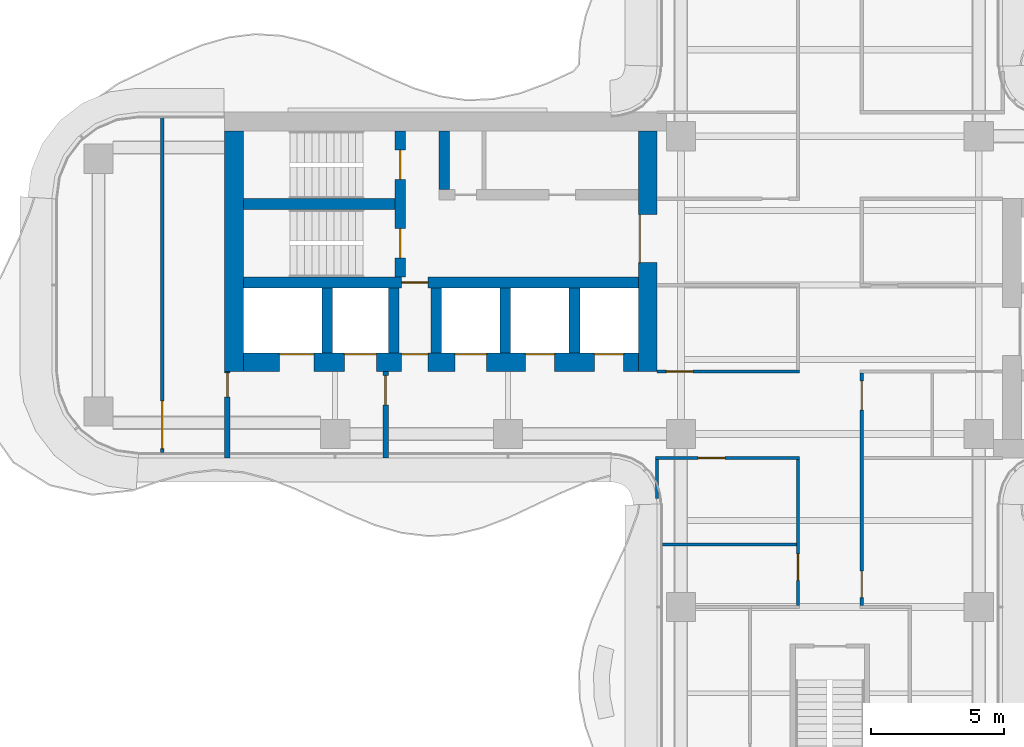
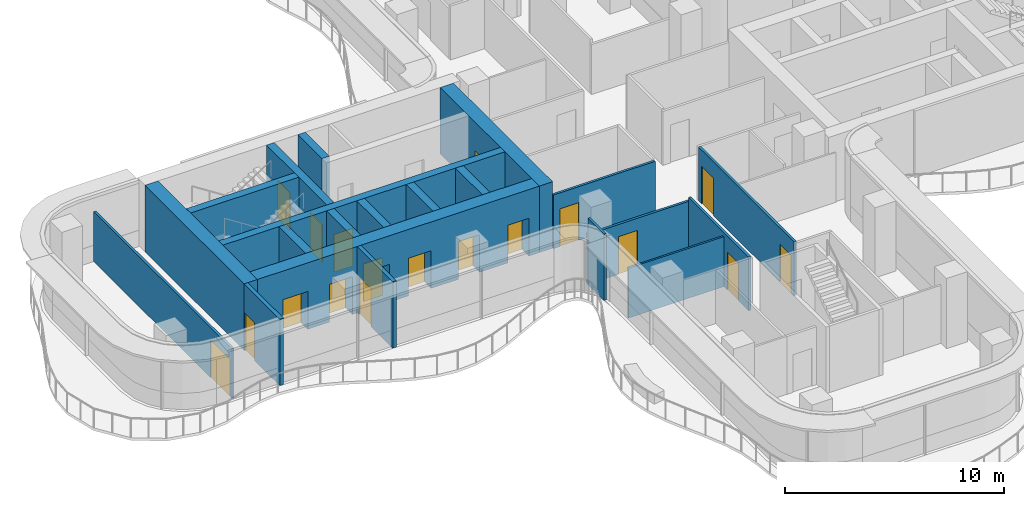
# One storey, part 12 of 17: 21 walls, 18 doors, 18 openings.
"""IFC4 building model written with IfcOpenShell, lengths in metres."""

import ifcopenshell
import ifcopenshell.guid

model = None  # the IFC model being written
_history = None  # IfcOwnerHistory: only IFC2X3 demands one
_inside = {}  # id of a spatial element -> (the spatial element, [elements in it])
_under = {}  # id of a project, library or spatial element -> (it, [spatial elements below it])
_declared = {}  # id of a project -> (the project, [libraries it declares])
_typed = {}  # id of a type object -> (the type object, [elements of that type])
_made_of = {}  # id of a material, layer set ... -> (it, [elements and type objects made of it])


def new_model(schema):
    """Start an empty IFC model of exactly this schema.

    Asked for "IFC4X3", IfcOpenShell would pick the latest addendum, in which some entities
    have other attributes; the version numbers below select the first issue.
    IFC2X3 requires an IfcOwnerHistory on every rooted entity: one is made here for all.
    """
    global model, _history
    if schema == "IFC4X3":
        model = ifcopenshell.file(schema_version=(4, 3, 0, 0))
    else:
        model = ifcopenshell.file(schema=schema)
    _inside.clear()
    _under.clear()
    _declared.clear()
    _typed.clear()
    _made_of.clear()
    _history = None
    if model.schema == "IFC2X3":
        org = make("IfcOrganization", Name="unknown")
        user = make(
            "IfcPersonAndOrganization",
            ThePerson=make("IfcPerson", FamilyName="unknown"),
            TheOrganization=org,
        )
        app = make(
            "IfcApplication",
            ApplicationDeveloper=org,
            Version="unknown",
            ApplicationFullName="unknown",
            ApplicationIdentifier="unknown",
        )
        _history = make(
            "IfcOwnerHistory",
            OwningUser=user,
            OwningApplication=app,
            ChangeAction="ADDED",
            CreationDate=0,
        )
    return model


def make(cls, **values):
    """One entity of the class cls with the attributes given. An attribute that is None is left unset."""
    return model.create_entity(
        cls, **{name: value for name, value in values.items() if value is not None}
    )


def rooted(cls, **values):
    """An entity with a GlobalId (a new one), such as an element, a storey or a relation."""
    return make(cls, GlobalId=ifcopenshell.guid.new(), OwnerHistory=_history, **values)


def si_unit(unit_type, name, prefix=None):
    """IfcSIUnit, for example si_unit("LENGTHUNIT", "METRE", prefix="MILLI")."""
    return make("IfcSIUnit", UnitType=unit_type, Prefix=prefix, Name=name)


def assignment(units):
    """IfcUnitAssignment: the units of a project."""
    return None if units is None else make("IfcUnitAssignment", Units=units)


def point(xyz):
    """IfcCartesianPoint."""
    return None if xyz is None else make("IfcCartesianPoint", Coordinates=xyz)


def direction(xyz):
    """IfcDirection."""
    return None if xyz is None else make("IfcDirection", DirectionRatios=xyz)


def frame(location, z_axis=None, x_axis=None):
    """IfcAxis2Placement3D, a coordinate frame: its origin and axes. An axis left out is left unset."""
    return make(
        "IfcAxis2Placement3D",
        Location=point(location),
        Axis=direction(z_axis),
        RefDirection=direction(x_axis),
    )


def frame_2d(location, x_axis=None):
    """IfcAxis2Placement2D, a coordinate frame in the plane: its origin and x axis."""
    return make(
        "IfcAxis2Placement2D", Location=point(location), RefDirection=direction(x_axis)
    )


def origin():
    """The frame at (0, 0, 0) with its axes left unset."""
    return frame((0.0, 0.0, 0.0))


def place(relative_to, where):
    """IfcLocalPlacement: puts the frame where relative to a parent placement (None: the world)."""
    return make(
        "IfcLocalPlacement", PlacementRelTo=relative_to, RelativePlacement=where
    )


def context(
    kind, dimensions, precision=None, world=None, true_north=None, identifier=None
):
    """IfcGeometricRepresentationContext, for example the 3D "Model" context."""
    return make(
        "IfcGeometricRepresentationContext",
        ContextIdentifier=identifier,
        ContextType=kind,
        CoordinateSpaceDimension=dimensions,
        Precision=precision,
        WorldCoordinateSystem=world,
        TrueNorth=true_north,
    )


def subcontext(parent, identifier, kind, view, scale=None):
    """IfcGeometricRepresentationSubContext, for example "Body" below "Model"."""
    return make(
        "IfcGeometricRepresentationSubContext",
        ContextIdentifier=identifier,
        ContextType=kind,
        ParentContext=parent,
        TargetScale=scale,
        TargetView=view,
    )


def project(units=None, contexts=None):
    """IfcProject with its units and contexts."""
    return rooted(
        "IfcProject",
        Name="project",
        RepresentationContexts=contexts,
        UnitsInContext=assignment(units),
    )


def spatial(cls, under=None, at=None, **own):
    """A site, building, storey or space (cls), placed at a placement, below another one or the project."""
    s = rooted(cls, ObjectPlacement=at, **own)
    if under is not None:
        _under.setdefault(under.id(), (under, []))[1].append(s)
    return s


def profile(cls, at=None, kind="AREA", **sizes):
    """A parametric profile (cls). Its sizes go by their IFC names, for example OverallWidth=200.0."""
    return make(cls, ProfileType=kind, Position=at, **sizes)


def rectangle(**sizes):
    """IfcRectangleProfileDef."""
    return profile("IfcRectangleProfileDef", **sizes)


def extrude(swept, where, along, depth):
    """IfcExtrudedAreaSolid: the profile swept, set in the frame where, extruded along a direction by depth."""
    return make(
        "IfcExtrudedAreaSolid",
        SweptArea=swept,
        Position=where,
        ExtrudedDirection=direction(along),
        Depth=depth,
    )


def shape(context_of_items, identifier, shape_type, items):
    """IfcShapeRepresentation: the items that make up one representation, for example the "Body"."""
    return make(
        "IfcShapeRepresentation",
        ContextOfItems=context_of_items,
        RepresentationIdentifier=identifier,
        RepresentationType=shape_type,
        Items=items,
    )


def source(mapping_origin, context_of_items, identifier, shape_type, items):
    """IfcRepresentationMap: a shape defined once, which mapped items show again and again."""
    return make(
        "IfcRepresentationMap",
        MappingOrigin=mapping_origin,
        MappedRepresentation=shape(context_of_items, identifier, shape_type, items),
    )


def transform(
    local_origin,
    x_axis=None,
    y_axis=None,
    z_axis=None,
    scale=None,
    scale2=None,
    scale3=None,
    uniform=True,
):
    """IfcCartesianTransformationOperator3D, or its non-uniform kind. x_axis, y_axis, z_axis: its Axis1, 2, 3."""
    if uniform:
        return make(
            "IfcCartesianTransformationOperator3D",
            Axis1=direction(x_axis),
            Axis2=direction(y_axis),
            LocalOrigin=point(local_origin),
            Scale=scale,
            Axis3=direction(z_axis),
        )
    return make(
        "IfcCartesianTransformationOperator3DnonUniform",
        Axis1=direction(x_axis),
        Axis2=direction(y_axis),
        LocalOrigin=point(local_origin),
        Scale=scale,
        Axis3=direction(z_axis),
        Scale2=scale2,
        Scale3=scale3,
    )


def mapped(mapping_source, mapping_target):
    """IfcMappedItem: shows the shape of a source again, moved by a transform."""
    return make(
        "IfcMappedItem", MappingSource=mapping_source, MappingTarget=mapping_target
    )


def material(Name=None, Category=None):
    """IfcMaterial."""
    return make("IfcMaterial", Name=Name, Category=Category)


def layer(
    of_material, thickness, ventilated=None, Name=None, Category=None, Priority=None
):
    """IfcMaterialLayer: one layer of a wall or slab, of a material (None: an air gap)."""
    return make(
        "IfcMaterialLayer",
        Material=of_material,
        LayerThickness=thickness,
        IsVentilated=ventilated,
        Name=Name,
        Category=Category,
        Priority=Priority,
    )


def layer_set(layers, Name=None):
    """IfcMaterialLayerSet."""
    return make("IfcMaterialLayerSet", MaterialLayers=layers, LayerSetName=Name)


def made_of(thing, what):
    """Note that an element or type object is made of a material, layer set ...; save() writes the relation."""
    if what is not None:
        _made_of.setdefault(what.id(), (what, []))[1].append(thing)
    return thing


def type_object(cls, material=None, **own):
    """A type object (cls), such as IfcWallType, which elements share."""
    return made_of(rooted(cls, **own), material)


def element(
    cls,
    number,
    at=None,
    inside=None,
    cuts=None,
    type_object=None,
    material=None,
    context=None,
    identifier="Body",
    shape_type=None,
    held_by="IfcProductDefinitionShape",
    body=None,
    shapes=None,
    **own,
):
    """One element of the class cls, such as IfcWall. Its Tag is "e" and its number.

    at: its placement. inside: the storey or other place that contains it. cuts: it is an
    opening in that element (IfcRelVoidsElement). A single representation is given by context,
    identifier, shape_type and body (its items); several are given by shapes. held_by: the class
    of the entity that holds the representations. save() writes the other relations.
    """
    e = rooted(cls, Tag="e%d" % number, ObjectPlacement=at, **own)
    if body is not None:
        shapes = [shape(context, identifier, shape_type, body)]
    if shapes is not None:
        e.Representation = make(held_by, Representations=shapes)
    if inside is not None:
        _inside.setdefault(inside.id(), (inside, []))[1].append(e)
    if cuts is not None:
        rooted(
            "IfcRelVoidsElement", RelatingBuildingElement=cuts, RelatedOpeningElement=e
        )
    if type_object is not None:
        _typed.setdefault(type_object.id(), (type_object, []))[1].append(e)
    return made_of(e, material)


def fill(opening, filler):
    """IfcRelFillsElement: the door or window that sits in an opening."""
    return rooted(
        "IfcRelFillsElement",
        RelatingOpeningElement=opening,
        RelatedBuildingElement=filler,
    )


def aggregate(whole, parts):
    """IfcRelAggregates: a whole, such as a stair, and the parts it consists of."""
    return rooted("IfcRelAggregates", RelatingObject=whole, RelatedObjects=parts)


def save(model, path):
    """Write the relations noted so far, then the file.

    IfcRelAggregates (storeys below a building ...), IfcRelContainedInSpatialStructure (elements
    in a storey), IfcRelDefinesByType, IfcRelAssociatesMaterial and IfcRelDeclares: one each for
    every whole, place, type object, material and project.
    """
    for whole, parts in _under.values():
        aggregate(whole, parts)
    for where, things in _inside.values():
        rooted(
            "IfcRelContainedInSpatialStructure",
            RelatedElements=things,
            RelatingStructure=where,
        )
    for kind, things in _typed.values():
        rooted("IfcRelDefinesByType", RelatedObjects=things, RelatingType=kind)
    for what, things in _made_of.values():
        rooted("IfcRelAssociatesMaterial", RelatedObjects=things, RelatingMaterial=what)
    for by, libraries in _declared.values():
        rooted("IfcRelDeclares", RelatingContext=by, RelatedDefinitions=libraries)
    model.write(path)


model = new_model("IFC4")

# Units and contexts
model_context = context("Model", 3, precision=1e-05, world=origin(), true_north=direction((0.0, 1.0)))
body_context = subcontext(model_context, "Body", "Model", "MODEL_VIEW")
ifc_project = project(units=[si_unit("LENGTHUNIT", "METRE"), si_unit("AREAUNIT", "SQUARE_METRE"), si_unit("VOLUMEUNIT", "CUBIC_METRE"), si_unit("PLANEANGLEUNIT", "RADIAN"), si_unit("MASSUNIT", "GRAM", prefix="KILO")], contexts=[model_context])

# Site, building, storey
site_placement = place(None, origin())
site = spatial("IfcSite", under=ifc_project, at=site_placement, CompositionType="ELEMENT")
building_placement = place(site_placement, origin())
building = spatial("IfcBuilding", under=site, at=building_placement, Name="Trellis Farm Tower", CompositionType="ELEMENT")
storey_placement = place(building_placement, frame((0.0, 0.0, 220.699951171875)))
storey = spatial("IfcBuildingStorey", under=building, at=storey_placement, Name="L48", CompositionType="ELEMENT", Elevation=220.699951171875)

# Wall, opening, door
ifc_material_1 = material(Name="Concrete C60/75", Category="concrete")
ifc_layer_1 = layer(ifc_material_1, 0.699951171875)
ifc_layer_set_1 = layer_set([ifc_layer_1], Name="CORE OUTER WALL 700 CONCRETE C60/75")
wall_type_1 = type_object("IfcWallType", Name="CORE OUTER WALL 700 CONCRETE C60/75", PredefinedType="SHEAR", material=ifc_layer_set_1)
shared_shape_1 = source(origin(), body_context, "Body", "SweptSolid", [
    extrude(rectangle(XDim=9.050048828125, YDim=0.699951171875, at=frame_2d((4.52490234375, 0.0))), origin(), (0.0, 0.0, 1.0), 3.699951171875),
])
wall_1_placement = place(storey_placement, frame((-6.85009765625, 5.800048828125, 0.0), z_axis=(0.0, 0.0, 1.0), x_axis=(0.0, -1.0, 0.0)))
wall_1 = element("IfcWall", 1, at=wall_1_placement, inside=storey, type_object=wall_type_1, Name="Core wall", PredefinedType="SHEAR", context=body_context, shape_type="MappedRepresentation", body=[
    mapped(shared_shape_1, transform((0.0, 0.0, 0.0))),
])
shared_shape_2 = source(origin(), body_context, "Body", "SweptSolid", [
    extrude(rectangle(XDim=1.800048828125, YDim=2.10009765625, at=frame_2d((0.89990234375, 1.050048828125))), frame((0.0, 0.360107421875, 0.0), z_axis=(0.0, -1.0, 0.0), x_axis=(1.0, 0.0, 0.0)), (0.0, 0.0, 1.0), 0.72021484375),
])
opening_1_placement = place(wall_1_placement, frame((3.14990234375, 0.0, 0.0)))
opening_1 = element("IfcOpeningElement", 2, at=opening_1_placement, cuts=wall_1, Name="Opening DC87", PredefinedType="OPENING", context=body_context, shape_type="MappedRepresentation", body=[
    mapped(shared_shape_2, transform((0.0, 0.0, 0.0))),
])
ifc_material_2 = material(Name="Steel", Category="steel")
door_type_1 = type_object("IfcDoorType", Name="CORE FIRE DOOR DOUBLE 1800 X 2100", OperationType="DOUBLE_DOOR_SINGLE_SWING", PredefinedType="DOOR", material=ifc_material_2)
shared_shape_3 = source(origin(), body_context, "Body", "SweptSolid", [
    extrude(rectangle(XDim=1.800048828125, YDim=2.10009765625, at=frame_2d((0.89990234375, 1.050048828125))), frame((0.0, -0.27490234375, 0.0), z_axis=(0.0, -1.0, 0.0), x_axis=(1.0, 0.0, 0.0)), (0.0, 0.0, 1.0), 0.050048828125),
])
door_1_placement = place(opening_1_placement, origin())
door_1 = element("IfcDoor", 3, at=door_1_placement, inside=storey, type_object=door_type_1, Name="Core door", OperationType="DOUBLE_DOOR_SINGLE_SWING", OverallHeight=2.10009765625, OverallWidth=1.800048828125, PredefinedType="DOOR", context=body_context, shape_type="MappedRepresentation", body=[
    mapped(shared_shape_3, transform((0.0, 0.0, 0.0))),
])
fill(opening_1, door_1)

# Walls
wall_2_placement = place(storey_placement, frame((-22.39990234375, 5.800048828125, 0.0), z_axis=(0.0, 0.0, 1.0), x_axis=(0.0, -1.0, 0.0)))
element("IfcWall", 4, at=wall_2_placement, inside=storey, type_object=wall_type_1, Name="Core wall", PredefinedType="SHEAR", context=body_context, shape_type="MappedRepresentation", body=[
    mapped(shared_shape_1, transform((0.0, 0.0, 0.0))),
])
ifc_layer_2 = layer(ifc_material_1, 0.39990234375)
ifc_layer_set_2 = layer_set([ifc_layer_2], Name="CORE INNER WALL 400 CONCRETE C60/75")
wall_type_2 = type_object("IfcWallType", Name="CORE INNER WALL 400 CONCRETE C60/75", PredefinedType="SHEAR", material=ifc_layer_set_2)
shared_shape_4 = source(origin(), body_context, "Body", "SweptSolid", [
    extrude(rectangle(XDim=2.449951171875, YDim=0.39990234375, at=frame_2d((1.22509765625, 0.0))), origin(), (0.0, 0.0, 1.0), 3.699951171875),
])
for number, where, z_axis, x_axis, name in (
    (5, (-9.60009765625, -0.10009765625, 0.0), (0.0, 0.0, 1.0), (0.0, -1.0, 0.0), "Core wall"),
    (6, (-12.199951171875, -0.10009765625, 0.0), (0.0, 0.0, 1.0), (0.0, -1.0, 0.0), "Core wall"),
    (7, (-14.800048828125, -0.10009765625, 0.0), (0.0, 0.0, 1.0), (0.0, -1.0, 0.0), "Core wall"),
    (8, (-16.39990234375, -0.10009765625, 0.0), (0.0, 0.0, 1.0), (0.0, -1.0, 0.0), "Core wall"),
    (9, (-18.89990234375, -0.10009765625, 0.0), (0.0, 0.0, 1.0), (0.0, -1.0, 0.0), "Core wall"),
):
    element("IfcWall", number, at=place(storey_placement, frame(where, z_axis=z_axis, x_axis=x_axis)), inside=storey, type_object=wall_type_2, Name=name, PredefinedType="SHEAR", context=body_context, shape_type="MappedRepresentation", body=[
        mapped(shared_shape_4, transform((0.0, 0.0, 0.0))),
    ])

# Wall, opening, door
ifc_material_3 = material(Name="Masonry blockwork", Category="masonry")
ifc_layer_3 = layer(ifc_material_3, 0.199951171875)
ifc_layer_set_3 = layer_set([ifc_layer_3], Name="FIRE LOBBY PARTITION 200 BLOCKWORK")
wall_type_3 = type_object("IfcWallType", Name="FIRE LOBBY PARTITION 200 BLOCKWORK", PredefinedType="PARTITIONING", material=ifc_layer_set_3)
shared_shape_5 = source(origin(), body_context, "Body", "SweptSolid", [
    extrude(rectangle(XDim=3.25, YDim=0.199951171875, at=frame_2d((1.625, 0.0))), origin(), (0.0, 0.0, 1.0), 3.699951171875),
])
wall_3_placement = place(storey_placement, frame((-16.699951171875, -3.25, 0.0), z_axis=(0.0, 0.0, 1.0), x_axis=(0.0, -1.0, 0.0)))
wall_3 = element("IfcWall", 10, at=wall_3_placement, inside=storey, type_object=wall_type_3, Name="Fire-fighting lobby partition", PredefinedType="PARTITIONING", context=body_context, shape_type="MappedRepresentation", body=[
    mapped(shared_shape_5, transform((0.0, 0.0, 0.0))),
])
shared_shape_6 = source(origin(), body_context, "Body", "SweptSolid", [
    extrude(rectangle(XDim=1.10009765625, YDim=2.10009765625, at=frame_2d((0.550048828125, 1.050048828125))), frame((0.0, 0.110107421875, 0.0), z_axis=(0.0, -1.0, 0.0), x_axis=(1.0, 0.0, 0.0)), (0.0, 0.0, 1.0), 0.22021484375),
])
opening_2_placement = place(wall_3_placement, frame((0.14990234375, 0.0, 0.0)))
opening_2 = element("IfcOpeningElement", 11, at=opening_2_placement, cuts=wall_3, Name="Opening DC93", PredefinedType="OPENING", context=body_context, shape_type="MappedRepresentation", body=[
    mapped(shared_shape_6, transform((0.0, 0.0, 0.0))),
])
door_type_2 = type_object("IfcDoorType", Name="CORE FIRE DOOR 1100 X 2100", OperationType="NOTDEFINED", PredefinedType="DOOR", material=ifc_material_2)
shared_shape_7 = source(origin(), body_context, "Body", "SweptSolid", [
    extrude(rectangle(XDim=1.10009765625, YDim=2.10009765625, at=frame_2d((0.550048828125, 1.050048828125))), frame((0.0, 0.02490234375, 0.0), z_axis=(0.0, -1.0, 0.0), x_axis=(1.0, 0.0, 0.0)), (0.0, 0.0, 1.0), 0.050048828125),
])
door_2_placement = place(opening_2_placement, origin())
door_2 = element("IfcDoor", 12, at=door_2_placement, inside=storey, type_object=door_type_2, Name="Core door", OperationType="SINGLE_SWING_RIGHT", OverallHeight=2.10009765625, OverallWidth=1.10009765625, PredefinedType="DOOR", context=body_context, shape_type="MappedRepresentation", body=[
    mapped(shared_shape_7, transform((0.0, 0.0, 0.0))),
])
fill(opening_2, door_2)

wall_4_placement = place(storey_placement, frame((-22.64990234375, -3.25, 0.0), z_axis=(0.0, 0.0, 1.0), x_axis=(0.0, -1.0, 0.0)))
wall_4 = element("IfcWall", 13, at=wall_4_placement, inside=storey, type_object=wall_type_3, Name="Fire-fighting lobby partition", PredefinedType="PARTITIONING", context=body_context, shape_type="MappedRepresentation", body=[
    mapped(shared_shape_5, transform((0.0, 0.0, 0.0))),
])
shared_shape_8 = source(origin(), body_context, "Body", "SweptSolid", [
    extrude(rectangle(XDim=0.89990234375, YDim=2.10009765625, at=frame_2d((0.449951171875, 1.050048828125))), frame((0.0, 0.110107421875, 0.0), z_axis=(0.0, -1.0, 0.0), x_axis=(1.0, 0.0, 0.0)), (0.0, 0.0, 1.0), 0.22021484375),
])
opening_3_placement = place(wall_4_placement, frame((0.050048828125, 0.0, 0.0)))
opening_3 = element("IfcOpeningElement", 14, at=opening_3_placement, cuts=wall_4, Name="Opening DC94", PredefinedType="OPENING", context=body_context, shape_type="MappedRepresentation", body=[
    mapped(shared_shape_8, transform((0.0, 0.0, 0.0))),
])
door_type_3 = type_object("IfcDoorType", Name="CORE FIRE DOOR 900 X 2100", OperationType="NOTDEFINED", PredefinedType="DOOR", material=ifc_material_2)
shared_shape_9 = source(origin(), body_context, "Body", "SweptSolid", [
    extrude(rectangle(XDim=0.89990234375, YDim=2.10009765625, at=frame_2d((0.449951171875, 1.050048828125))), frame((0.0, 0.02490234375, 0.0), z_axis=(0.0, -1.0, 0.0), x_axis=(1.0, 0.0, 0.0)), (0.0, 0.0, 1.0), 0.050048828125),
])
door_3_placement = place(opening_3_placement, origin())
door_3 = element("IfcDoor", 15, at=door_3_placement, inside=storey, type_object=door_type_3, Name="Core door", OperationType="SINGLE_SWING_RIGHT", OverallHeight=2.10009765625, OverallWidth=0.89990234375, PredefinedType="DOOR", context=body_context, shape_type="MappedRepresentation", body=[
    mapped(shared_shape_9, transform((0.0, 0.0, 0.0))),
])
fill(opening_3, door_3)

# Wall, openings, doors
shared_shape_10 = source(origin(), body_context, "Body", "SweptSolid", [
    extrude(rectangle(XDim=14.85009765625, YDim=0.699951171875, at=frame_2d((7.425048828125, 0.0))), origin(), (0.0, 0.0, 1.0), 3.699951171875),
])
wall_5_placement = place(storey_placement, frame((-7.199951171875, -2.89990234375, 0.0), z_axis=(0.0, 0.0, 1.0), x_axis=(-1.0, 0.0, 0.0)))
wall_5 = element("IfcWall", 16, at=wall_5_placement, inside=storey, type_object=wall_type_1, Name="Core wall", PredefinedType="SHEAR", context=body_context, shape_type="MappedRepresentation", body=[
    mapped(shared_shape_10, transform((0.0, 0.0, 0.0))),
])
shared_shape_11 = source(origin(), body_context, "Body", "SweptSolid", [
    extrude(rectangle(XDim=1.10009765625, YDim=2.10009765625, at=frame_2d((0.550048828125, 1.050048828125))), frame((0.0, 0.360107421875, 0.0), z_axis=(0.0, -1.0, 0.0), x_axis=(1.0, 0.0, 0.0)), (0.0, 0.0, 1.0), 0.72021484375),
])
opening_4_placement = place(wall_5_placement, frame((0.550048828125, 0.0, 0.0)))
opening_4 = element("IfcOpeningElement", 17, at=opening_4_placement, cuts=wall_5, Name="Opening LD12", PredefinedType="OPENING", context=body_context, shape_type="MappedRepresentation", body=[
    mapped(shared_shape_11, transform((0.0, 0.0, 0.0))),
])
opening_5_placement = place(wall_5_placement, frame((3.14990234375, 0.0, 0.0)))
opening_5 = element("IfcOpeningElement", 18, at=opening_5_placement, cuts=wall_5, Name="Opening LD13", PredefinedType="OPENING", context=body_context, shape_type="MappedRepresentation", body=[
    mapped(shared_shape_11, transform((0.0, 0.0, 0.0))),
])
shared_shape_12 = source(origin(), body_context, "Body", "SweptSolid", [
    extrude(rectangle(XDim=1.199951171875, YDim=2.10009765625, at=frame_2d((0.60009765625, 1.050048828125))), frame((0.0, 0.360107421875, 0.0), z_axis=(0.0, -1.0, 0.0), x_axis=(1.0, 0.0, 0.0)), (0.0, 0.0, 1.0), 0.72021484375),
])
opening_6_placement = place(wall_5_placement, frame((5.699951171875, 0.0, 0.0)))
opening_6 = element("IfcOpeningElement", 19, at=opening_6_placement, cuts=wall_5, Name="Opening LD14", PredefinedType="OPENING", context=body_context, shape_type="MappedRepresentation", body=[
    mapped(shared_shape_12, transform((0.0, 0.0, 0.0))),
])
shared_shape_13 = source(origin(), body_context, "Body", "SweptSolid", [
    extrude(rectangle(XDim=1.300048828125, YDim=2.10009765625, at=frame_2d((0.64990234375, 1.050048828125))), frame((0.0, 0.360107421875, 0.0), z_axis=(0.0, -1.0, 0.0), x_axis=(1.0, 0.0, 0.0)), (0.0, 0.0, 1.0), 0.72021484375),
])
opening_7_placement = place(wall_5_placement, frame((12.199951171875, 0.0, 0.0)))
opening_7 = element("IfcOpeningElement", 20, at=opening_7_placement, cuts=wall_5, Name="Opening LD15", PredefinedType="OPENING", context=body_context, shape_type="MappedRepresentation", body=[
    mapped(shared_shape_13, transform((0.0, 0.0, 0.0))),
])
opening_8_placement = place(wall_5_placement, frame((9.85009765625, 0.0, 0.0)))
opening_8 = element("IfcOpeningElement", 21, at=opening_8_placement, cuts=wall_5, Name="Opening LD16", PredefinedType="OPENING", context=body_context, shape_type="MappedRepresentation", body=[
    mapped(shared_shape_12, transform((0.0, 0.0, 0.0))),
])
shared_shape_14 = source(origin(), body_context, "Body", "SweptSolid", [
    extrude(rectangle(XDim=1.0, YDim=2.10009765625, at=frame_2d((0.5, 1.050048828125))), frame((0.0, 0.360107421875, 0.0), z_axis=(0.0, -1.0, 0.0), x_axis=(1.0, 0.0, 0.0)), (0.0, 0.0, 1.0), 0.72021484375),
])
opening_9_placement = place(wall_5_placement, frame((7.89990234375, 0.0, 0.0)))
opening_9 = element("IfcOpeningElement", 22, at=opening_9_placement, cuts=wall_5, Name="Opening DC92", PredefinedType="OPENING", context=body_context, shape_type="MappedRepresentation", body=[
    mapped(shared_shape_14, transform((0.0, 0.0, 0.0))),
])
door_type_4 = type_object("IfcDoorType", Name="CORE FIRE DOOR 1000 X 2100", OperationType="NOTDEFINED", PredefinedType="DOOR", material=ifc_material_2)
shared_shape_15 = source(origin(), body_context, "Body", "SweptSolid", [
    extrude(rectangle(XDim=1.0, YDim=2.10009765625, at=frame_2d((0.5, 1.050048828125))), frame((0.0, -0.27490234375, 0.0), z_axis=(0.0, -1.0, 0.0), x_axis=(1.0, 0.0, 0.0)), (0.0, 0.0, 1.0), 0.050048828125),
])
door_4_placement = place(opening_9_placement, origin())
door_4 = element("IfcDoor", 23, at=door_4_placement, inside=storey, type_object=door_type_4, Name="Core door", OperationType="SINGLE_SWING_LEFT", OverallHeight=2.10009765625, OverallWidth=1.0, PredefinedType="DOOR", context=body_context, shape_type="MappedRepresentation", body=[
    mapped(shared_shape_15, transform((0.0, 0.0, 0.0))),
])
fill(opening_9, door_4)
ifc_material_4 = material(Name="Stainless steel", Category="steel")
door_type_5 = type_object("IfcDoorType", Name="LIFT LANDING DOOR 1300 X 2100", OperationType="DOUBLE_DOOR_SLIDING", PredefinedType="DOOR", material=ifc_material_4)
shared_shape_16 = source(origin(), body_context, "Body", "SweptSolid", [
    extrude(rectangle(XDim=1.300048828125, YDim=2.10009765625, at=frame_2d((0.64990234375, 1.050048828125))), frame((0.0, -0.27490234375, 0.0), z_axis=(0.0, -1.0, 0.0), x_axis=(1.0, 0.0, 0.0)), (0.0, 0.0, 1.0), 0.050048828125),
])
door_5_placement = place(opening_7_placement, origin())
door_5 = element("IfcDoor", 24, at=door_5_placement, inside=storey, type_object=door_type_5, Name="Lift landing door", OperationType="DOUBLE_DOOR_SLIDING", OverallHeight=2.10009765625, OverallWidth=1.300048828125, PredefinedType="DOOR", context=body_context, shape_type="MappedRepresentation", body=[
    mapped(shared_shape_16, transform((0.0, 0.0, 0.0))),
])
fill(opening_7, door_5)
door_type_6 = type_object("IfcDoorType", Name="LIFT LANDING DOOR 1200 X 2100", OperationType="DOUBLE_DOOR_SLIDING", PredefinedType="DOOR", material=ifc_material_4)
shared_shape_17 = source(origin(), body_context, "Body", "SweptSolid", [
    extrude(rectangle(XDim=1.199951171875, YDim=2.10009765625, at=frame_2d((0.60009765625, 1.050048828125))), frame((0.0, -0.27490234375, 0.0), z_axis=(0.0, -1.0, 0.0), x_axis=(1.0, 0.0, 0.0)), (0.0, 0.0, 1.0), 0.050048828125),
])
door_6_placement = place(opening_6_placement, origin())
door_6 = element("IfcDoor", 25, at=door_6_placement, inside=storey, type_object=door_type_6, Name="Lift landing door", OperationType="DOUBLE_DOOR_SLIDING", OverallHeight=2.10009765625, OverallWidth=1.199951171875, PredefinedType="DOOR", context=body_context, shape_type="MappedRepresentation", body=[
    mapped(shared_shape_17, transform((0.0, 0.0, 0.0))),
])
fill(opening_6, door_6)
door_7_placement = place(opening_8_placement, origin())
door_7 = element("IfcDoor", 26, at=door_7_placement, inside=storey, type_object=door_type_6, Name="Lift landing door", OperationType="DOUBLE_DOOR_SLIDING", OverallHeight=2.10009765625, OverallWidth=1.199951171875, PredefinedType="DOOR", context=body_context, shape_type="MappedRepresentation", body=[
    mapped(shared_shape_17, transform((0.0, 0.0, 0.0))),
])
fill(opening_8, door_7)
door_type_7 = type_object("IfcDoorType", Name="LIFT LANDING DOOR 1100 X 2100", OperationType="DOUBLE_DOOR_SLIDING", PredefinedType="DOOR", material=ifc_material_4)
shared_shape_18 = source(origin(), body_context, "Body", "SweptSolid", [
    extrude(rectangle(XDim=1.10009765625, YDim=2.10009765625, at=frame_2d((0.550048828125, 1.050048828125))), frame((0.0, -0.27490234375, 0.0), z_axis=(0.0, -1.0, 0.0), x_axis=(1.0, 0.0, 0.0)), (0.0, 0.0, 1.0), 0.050048828125),
])
door_8_placement = place(opening_4_placement, origin())
door_8 = element("IfcDoor", 27, at=door_8_placement, inside=storey, type_object=door_type_7, Name="Lift landing door", OperationType="DOUBLE_DOOR_SLIDING", OverallHeight=2.10009765625, OverallWidth=1.10009765625, PredefinedType="DOOR", context=body_context, shape_type="MappedRepresentation", body=[
    mapped(shared_shape_18, transform((0.0, 0.0, 0.0))),
])
fill(opening_4, door_8)
door_9_placement = place(opening_5_placement, origin())
door_9 = element("IfcDoor", 28, at=door_9_placement, inside=storey, type_object=door_type_7, Name="Lift landing door", OperationType="DOUBLE_DOOR_SLIDING", OverallHeight=2.10009765625, OverallWidth=1.10009765625, PredefinedType="DOOR", context=body_context, shape_type="MappedRepresentation", body=[
    mapped(shared_shape_18, transform((0.0, 0.0, 0.0))),
])
fill(opening_5, door_9)

# Wall, opening, door
shared_shape_19 = source(origin(), body_context, "Body", "SweptSolid", [
    extrude(rectangle(XDim=14.85009765625, YDim=0.39990234375, at=frame_2d((7.425048828125, 0.0))), origin(), (0.0, 0.0, 1.0), 3.699951171875),
])
wall_6_placement = place(storey_placement, frame((-7.199951171875, 0.10009765625, 0.0), z_axis=(0.0, 0.0, 1.0), x_axis=(-1.0, 0.0, 0.0)))
wall_6 = element("IfcWall", 29, at=wall_6_placement, inside=storey, type_object=wall_type_2, Name="Core wall", PredefinedType="SHEAR", context=body_context, shape_type="MappedRepresentation", body=[
    mapped(shared_shape_19, transform((0.0, 0.0, 0.0))),
])
shared_shape_20 = source(origin(), body_context, "Body", "SweptSolid", [
    extrude(rectangle(XDim=1.0, YDim=2.10009765625, at=frame_2d((0.5, 1.050048828125))), frame((0.0, 0.2099609375, 0.0), z_axis=(0.0, -1.0, 0.0), x_axis=(1.0, 0.0, 0.0)), (0.0, 0.0, 1.0), 0.419921875),
])
opening_10_placement = place(wall_6_placement, frame((7.89990234375, 0.0, 0.0)))
opening_10 = element("IfcOpeningElement", 30, at=opening_10_placement, cuts=wall_6, Name="Opening DC91", PredefinedType="OPENING", context=body_context, shape_type="MappedRepresentation", body=[
    mapped(shared_shape_20, transform((0.0, 0.0, 0.0))),
])
shared_shape_21 = source(origin(), body_context, "Body", "SweptSolid", [
    extrude(rectangle(XDim=1.0, YDim=2.10009765625, at=frame_2d((0.5, 1.050048828125))), frame((0.0, 0.02490234375, 0.0), z_axis=(0.0, -1.0, 0.0), x_axis=(1.0, 0.0, 0.0)), (0.0, 0.0, 1.0), 0.050048828125),
])
door_10_placement = place(opening_10_placement, origin())
door_10 = element("IfcDoor", 31, at=door_10_placement, inside=storey, type_object=door_type_4, Name="Core door", OperationType="SINGLE_SWING_RIGHT", OverallHeight=2.10009765625, OverallWidth=1.0, PredefinedType="DOOR", context=body_context, shape_type="MappedRepresentation", body=[
    mapped(shared_shape_21, transform((0.0, 0.0, 0.0))),
])
fill(opening_10, door_10)

# Wall, openings, doors
shared_shape_22 = source(origin(), body_context, "Body", "SweptSolid", [
    extrude(rectangle(XDim=5.5, YDim=0.39990234375, at=frame_2d((2.75, 0.0))), origin(), (0.0, 0.0, 1.0), 3.699951171875),
])
wall_7_placement = place(storey_placement, frame((-16.14990234375, 5.800048828125, 0.0), z_axis=(0.0, 0.0, 1.0), x_axis=(0.0, -1.0, 0.0)))
wall_7 = element("IfcWall", 32, at=wall_7_placement, inside=storey, type_object=wall_type_2, Name="Core wall", PredefinedType="SHEAR", context=body_context, shape_type="MappedRepresentation", body=[
    mapped(shared_shape_22, transform((0.0, 0.0, 0.0))),
])
shared_shape_23 = source(origin(), body_context, "Body", "SweptSolid", [
    extrude(rectangle(XDim=1.10009765625, YDim=2.10009765625, at=frame_2d((0.550048828125, 1.050048828125))), frame((0.0, 0.2099609375, 0.0), z_axis=(0.0, -1.0, 0.0), x_axis=(1.0, 0.0, 0.0)), (0.0, 0.0, 1.0), 0.419921875),
])
opening_11_placement = place(wall_7_placement, frame((0.72509765625, 0.0, 0.0)))
opening_11 = element("IfcOpeningElement", 33, at=opening_11_placement, cuts=wall_7, Name="Opening DC88", PredefinedType="OPENING", context=body_context, shape_type="MappedRepresentation", body=[
    mapped(shared_shape_23, transform((0.0, 0.0, 0.0))),
])
opening_12_placement = place(wall_7_placement, frame((3.675048828125, 0.0, 0.0)))
opening_12 = element("IfcOpeningElement", 34, at=opening_12_placement, cuts=wall_7, Name="Opening DC89", PredefinedType="OPENING", context=body_context, shape_type="MappedRepresentation", body=[
    mapped(shared_shape_23, transform((0.0, 0.0, 0.0))),
])
door_11_placement = place(opening_11_placement, origin())
door_11 = element("IfcDoor", 35, at=door_11_placement, inside=storey, type_object=door_type_2, Name="Core door", OperationType="SINGLE_SWING_RIGHT", OverallHeight=2.10009765625, OverallWidth=1.10009765625, PredefinedType="DOOR", context=body_context, shape_type="MappedRepresentation", body=[
    mapped(shared_shape_7, transform((0.0, 0.0, 0.0))),
])
fill(opening_11, door_11)
door_12_placement = place(opening_12_placement, origin())
door_12 = element("IfcDoor", 36, at=door_12_placement, inside=storey, type_object=door_type_2, Name="Core door", OperationType="SINGLE_SWING_LEFT", OverallHeight=2.10009765625, OverallWidth=1.10009765625, PredefinedType="DOOR", context=body_context, shape_type="MappedRepresentation", body=[
    mapped(shared_shape_7, transform((0.0, 0.0, 0.0))),
])
fill(opening_12, door_12)

# Walls
shared_shape_24 = source(origin(), body_context, "Body", "SweptSolid", [
    extrude(rectangle(XDim=5.699951171875, YDim=0.39990234375, at=frame_2d((2.85009765625, 0.0))), origin(), (0.0, 0.0, 1.0), 3.699951171875),
])
wall_8_placement = place(storey_placement, frame((-16.35009765625, 3.050048828125, 0.0), z_axis=(0.0, 0.0, 1.0), x_axis=(-1.0, 0.0, 0.0)))
element("IfcWall", 37, at=wall_8_placement, inside=storey, type_object=wall_type_2, Name="Core wall", PredefinedType="SHEAR", context=body_context, shape_type="MappedRepresentation", body=[
    mapped(shared_shape_24, transform((0.0, 0.0, 0.0))),
])
shared_shape_25 = source(origin(), body_context, "Body", "SweptSolid", [
    extrude(rectangle(XDim=2.199951171875, YDim=0.39990234375, at=frame_2d((1.10009765625, 0.0))), origin(), (0.0, 0.0, 1.0), 3.699951171875),
])
wall_9_placement = place(storey_placement, frame((-14.5, 5.800048828125, 0.0), z_axis=(0.0, 0.0, 1.0), x_axis=(0.0, -1.0, 0.0)))
element("IfcWall", 38, at=wall_9_placement, inside=storey, type_object=wall_type_2, Name="Core wall", PredefinedType="SHEAR", context=body_context, shape_type="MappedRepresentation", body=[
    mapped(shared_shape_25, transform((0.0, 0.0, 0.0))),
])

# Wall, opening, door
ifc_material_5 = material(Name="Plasterboard on steel studs, mineral wool", Category="steel")
ifc_layer_4 = layer(ifc_material_5, 0.125)
ifc_layer_set_4 = layer_set([ifc_layer_4], Name="PARTITION 125 STUD EI 60")
wall_type_4 = type_object("IfcWallType", Name="PARTITION 125 STUD EI 60", PredefinedType="PARTITIONING", material=ifc_layer_set_4)
shared_shape_26 = source(origin(), body_context, "Body", "SweptSolid", [
    extrude(rectangle(XDim=5.47509765625, YDim=0.125, at=frame_2d((2.737548828125, 0.0))), origin(), (0.0, 0.0, 1.0), 2.99658203125),
])
wall_10_placement = place(storey_placement, frame((-1.199951171875, -12.03759765625, 0.0), z_axis=(0.0, 0.0, 1.0), x_axis=(0.0, 1.0, 0.0)))
wall_10 = element("IfcWall", 39, at=wall_10_placement, inside=storey, type_object=wall_type_4, Name="Partition PW1", PredefinedType="PARTITIONING", context=body_context, shape_type="MappedRepresentation", body=[
    mapped(shared_shape_26, transform((0.0, 0.0, 0.0))),
])
shared_shape_27 = source(origin(), body_context, "Body", "SweptSolid", [
    extrude(rectangle(XDim=1.0, YDim=2.10009765625, at=frame_2d((0.5, 1.050048828125))), frame((0.0, 0.072509765625, 0.0), z_axis=(0.0, -1.0, 0.0), x_axis=(1.0, 0.0, 0.0)), (0.0, 0.0, 1.0), 0.14501953125),
])
opening_13_placement = place(wall_10_placement, frame((0.9375, 0.0, 0.0)))
opening_13 = element("IfcOpeningElement", 40, at=opening_13_placement, cuts=wall_10, Name="Opening D104", PredefinedType="OPENING", context=body_context, shape_type="MappedRepresentation", body=[
    mapped(shared_shape_27, transform((0.0, 0.0, 0.0))),
])
ifc_material_6 = material(Name="Fire-rated timber door leaf in a hollow metal frame", Category="wood")
door_type_8 = type_object("IfcDoorType", Name="DOOR 1000x2100 FD30S", OperationType="NOTDEFINED", PredefinedType="DOOR", material=ifc_material_6)
door_13_placement = place(opening_13_placement, origin())
door_13 = element("IfcDoor", 41, at=door_13_placement, inside=storey, type_object=door_type_8, Name="Door D104", OperationType="SINGLE_SWING_RIGHT", OverallHeight=2.10009765625, OverallWidth=1.0, PredefinedType="DOOR", context=body_context, shape_type="MappedRepresentation", body=[
    mapped(shared_shape_21, transform((0.0, 0.0, 0.0))),
])
fill(opening_13, door_13)

# Wall
shared_shape_28 = source(origin(), body_context, "Body", "SweptSolid", [
    extrude(rectangle(XDim=1.468994140625, YDim=0.125, at=frame_2d((0.734375, 0.0))), origin(), (0.0, 0.0, 1.0), 3.699951171875),
])
wall_11_placement = place(storey_placement, frame((-6.5, -6.5625, 0.0), z_axis=(0.0, 0.0, 1.0), x_axis=(0.0, -1.0, 0.0)))
element("IfcWall", 42, at=wall_11_placement, inside=storey, type_object=wall_type_4, Name="Partition PW1", PredefinedType="PARTITIONING", context=body_context, shape_type="MappedRepresentation", body=[
    mapped(shared_shape_28, transform((0.0, 0.0, 0.0))),
])

# Wall, opening, door
shared_shape_29 = source(origin(), body_context, "Body", "SweptSolid", [
    extrude(rectangle(XDim=12.60009765625, YDim=0.125, at=frame_2d((6.300048828125, 0.0))), origin(), (0.0, 0.0, 1.0), 2.780029296875),
])
wall_12_placement = place(storey_placement, frame((-25.10009765625, -6.300048828125, 0.0), z_axis=(0.0, 0.0, 1.0), x_axis=(0.0, 1.0, 0.0)))
wall_12 = element("IfcWall", 43, at=wall_12_placement, inside=storey, type_object=wall_type_4, Name="Partition PW1", PredefinedType="PARTITIONING", context=body_context, shape_type="MappedRepresentation", body=[
    mapped(shared_shape_29, transform((0.0, 0.0, 0.0))),
])
shared_shape_30 = source(origin(), body_context, "Body", "SweptSolid", [
    extrude(rectangle(XDim=1.800048828125, YDim=2.10009765625, at=frame_2d((0.89990234375, 1.050048828125))), frame((0.0, 0.072509765625, 0.0), z_axis=(0.0, -1.0, 0.0), x_axis=(1.0, 0.0, 0.0)), (0.0, 0.0, 1.0), 0.14501953125),
])
opening_14_placement = place(wall_12_placement, frame((0.14990234375, 0.0, 0.0)))
opening_14 = element("IfcOpeningElement", 44, at=opening_14_placement, cuts=wall_12, Name="Opening D201", PredefinedType="OPENING", context=body_context, shape_type="MappedRepresentation", body=[
    mapped(shared_shape_30, transform((0.0, 0.0, 0.0))),
])
door_type_9 = type_object("IfcDoorType", Name="DOOR PAIR 1800x2100 FD30S", OperationType="NOTDEFINED", PredefinedType="DOOR", material=ifc_material_6)
shared_shape_31 = source(origin(), body_context, "Body", "SweptSolid", [
    extrude(rectangle(XDim=1.800048828125, YDim=2.10009765625, at=frame_2d((0.89990234375, 1.050048828125))), frame((0.0, 0.02490234375, 0.0), z_axis=(0.0, -1.0, 0.0), x_axis=(1.0, 0.0, 0.0)), (0.0, 0.0, 1.0), 0.050048828125),
])
door_14_placement = place(opening_14_placement, origin())
door_14 = element("IfcDoor", 45, at=door_14_placement, inside=storey, type_object=door_type_9, Name="Door D201", OperationType="DOUBLE_DOOR_SINGLE_SWING", OverallHeight=2.10009765625, OverallWidth=1.800048828125, PredefinedType="DOOR", context=body_context, shape_type="MappedRepresentation", body=[
    mapped(shared_shape_31, transform((0.0, 0.0, 0.0))),
])
fill(opening_14, door_14)

shared_shape_32 = source(origin(), body_context, "Body", "SweptSolid", [
    extrude(rectangle(XDim=5.362548828125, YDim=0.125, at=frame_2d((2.68115234375, 0.0))), origin(), (0.0, 0.0, 1.0), 2.99658203125),
])
wall_13_placement = place(storey_placement, frame((-1.137451171875, -3.25, 0.0), z_axis=(0.0, 0.0, 1.0), x_axis=(-1.0, 0.0, 0.0)))
wall_13 = element("IfcWall", 46, at=wall_13_placement, inside=storey, type_object=wall_type_4, Name="Partition PW1", PredefinedType="PARTITIONING", context=body_context, shape_type="MappedRepresentation", body=[
    mapped(shared_shape_32, transform((0.0, 0.0, 0.0))),
])
opening_15_placement = place(wall_13_placement, frame((4.012451171875, 0.0, 0.0)))
opening_15 = element("IfcOpeningElement", 47, at=opening_15_placement, cuts=wall_13, Name="Opening D106", PredefinedType="OPENING", context=body_context, shape_type="MappedRepresentation", body=[
    mapped(shared_shape_27, transform((0.0, 0.0, 0.0))),
])
door_15_placement = place(opening_15_placement, origin())
door_15 = element("IfcDoor", 48, at=door_15_placement, inside=storey, type_object=door_type_8, Name="Door D106", OperationType="SINGLE_SWING_RIGHT", OverallHeight=2.10009765625, OverallWidth=1.0, PredefinedType="DOOR", context=body_context, shape_type="MappedRepresentation", body=[
    mapped(shared_shape_21, transform((0.0, 0.0, 0.0))),
])
fill(opening_15, door_15)

# Wall, openings, doors
shared_shape_33 = source(origin(), body_context, "Body", "SweptSolid", [
    extrude(rectangle(XDim=8.72509765625, YDim=0.125, at=frame_2d((4.362548828125, 0.0))), origin(), (0.0, 0.0, 1.0), 2.99658203125),
])
wall_14_placement = place(storey_placement, frame((1.199951171875, -3.3125, 0.0), z_axis=(0.0, 0.0, 1.0), x_axis=(0.0, -1.0, 0.0)))
wall_14 = element("IfcWall", 49, at=wall_14_placement, inside=storey, type_object=wall_type_4, Name="Partition PW1", PredefinedType="PARTITIONING", context=body_context, shape_type="MappedRepresentation", body=[
    mapped(shared_shape_33, transform((0.0, 0.0, 0.0))),
])
opening_16_placement = place(wall_14_placement, frame((7.4375, 0.0, 0.0)))
opening_16 = element("IfcOpeningElement", 50, at=opening_16_placement, cuts=wall_14, Name="Opening D103", PredefinedType="OPENING", context=body_context, shape_type="MappedRepresentation", body=[
    mapped(shared_shape_27, transform((0.0, 0.0, 0.0))),
])
shared_shape_34 = source(origin(), body_context, "Body", "SweptSolid", [
    extrude(rectangle(XDim=1.10009765625, YDim=2.10009765625, at=frame_2d((0.550048828125, 1.050048828125))), frame((0.0, 0.072509765625, 0.0), z_axis=(0.0, -1.0, 0.0), x_axis=(1.0, 0.0, 0.0)), (0.0, 0.0, 1.0), 0.14501953125),
])
opening_17_placement = place(wall_14_placement, frame((0.28759765625, 0.0, 0.0)))
opening_17 = element("IfcOpeningElement", 51, at=opening_17_placement, cuts=wall_14, Name="Opening D501", PredefinedType="OPENING", context=body_context, shape_type="MappedRepresentation", body=[
    mapped(shared_shape_34, transform((0.0, 0.0, 0.0))),
])
door_type_10 = type_object("IfcDoorType", Name="DOOR 1100x2100 FD30S", OperationType="NOTDEFINED", PredefinedType="DOOR", material=ifc_material_6)
door_16_placement = place(opening_17_placement, origin())
door_16 = element("IfcDoor", 52, at=door_16_placement, inside=storey, type_object=door_type_10, Name="Door D501", OperationType="SINGLE_SWING_LEFT", OverallHeight=2.10009765625, OverallWidth=1.10009765625, PredefinedType="DOOR", context=body_context, shape_type="MappedRepresentation", body=[
    mapped(shared_shape_7, transform((0.0, 0.0, 0.0))),
])
fill(opening_17, door_16)
door_17_placement = place(opening_16_placement, origin())
door_17 = element("IfcDoor", 53, at=door_17_placement, inside=storey, type_object=door_type_8, Name="Door D103", OperationType="SINGLE_SWING_RIGHT", OverallHeight=2.10009765625, OverallWidth=1.0, PredefinedType="DOOR", context=body_context, shape_type="MappedRepresentation", body=[
    mapped(shared_shape_21, transform((0.0, 0.0, 0.0))),
])
fill(opening_16, door_17)

# Wall, opening, door
shared_shape_35 = source(origin(), body_context, "Body", "SweptSolid", [
    extrude(rectangle(XDim=5.425048828125, YDim=0.125, at=frame_2d((2.71240234375, 0.0))), origin(), (0.0, 0.0, 1.0), 2.780029296875),
])
wall_15_placement = place(storey_placement, frame((-1.137451171875, -6.5, 0.0), z_axis=(0.0, 0.0, 1.0), x_axis=(-1.0, 0.0, 0.0)))
wall_15 = element("IfcWall", 54, at=wall_15_placement, inside=storey, type_object=wall_type_4, Name="Partition PW1", PredefinedType="PARTITIONING", context=body_context, shape_type="MappedRepresentation", body=[
    mapped(shared_shape_35, transform((0.0, 0.0, 0.0))),
])
opening_18_placement = place(wall_15_placement, frame((2.8125, 0.0, 0.0)))
opening_18 = element("IfcOpeningElement", 55, at=opening_18_placement, cuts=wall_15, Name="Opening D105", PredefinedType="OPENING", context=body_context, shape_type="MappedRepresentation", body=[
    mapped(shared_shape_27, transform((0.0, 0.0, 0.0))),
])
door_18_placement = place(opening_18_placement, origin())
door_18 = element("IfcDoor", 56, at=door_18_placement, inside=storey, type_object=door_type_8, Name="Door D105", OperationType="SINGLE_SWING_RIGHT", OverallHeight=2.10009765625, OverallWidth=1.0, PredefinedType="DOOR", context=body_context, shape_type="MappedRepresentation", body=[
    mapped(shared_shape_21, transform((0.0, 0.0, 0.0))),
])
fill(opening_18, door_18)

# Wall
ifc_material_7 = material(Name="Plasterboard on steel studs", Category="steel")
ifc_layer_5 = layer(ifc_material_7, 0.10009765625)
ifc_layer_set_5 = layer_set([ifc_layer_5], Name="PARTITION 100 STUD EI 30")
wall_type_5 = type_object("IfcWallType", Name="PARTITION 100 STUD EI 30", PredefinedType="PARTITIONING", material=ifc_layer_set_5)
shared_shape_36 = source(origin(), body_context, "Body", "SweptSolid", [
    extrude(rectangle(XDim=5.03759765625, YDim=0.10009765625, at=frame_2d((2.518798828125, 0.0))), origin(), (0.0, 0.0, 1.0), 2.780029296875),
])
wall_16_placement = place(storey_placement, frame((-6.300048828125, -9.75, 0.0), z_axis=(0.0, 0.0, 1.0), x_axis=(1.0, 0.0, 0.0)))
element("IfcWall", 57, at=wall_16_placement, inside=storey, type_object=wall_type_5, Name="Partition PW2", PredefinedType="PARTITIONING", context=body_context, shape_type="MappedRepresentation", body=[
    mapped(shared_shape_36, transform((0.0, 0.0, 0.0))),
])

save(model, "model.ifc")
